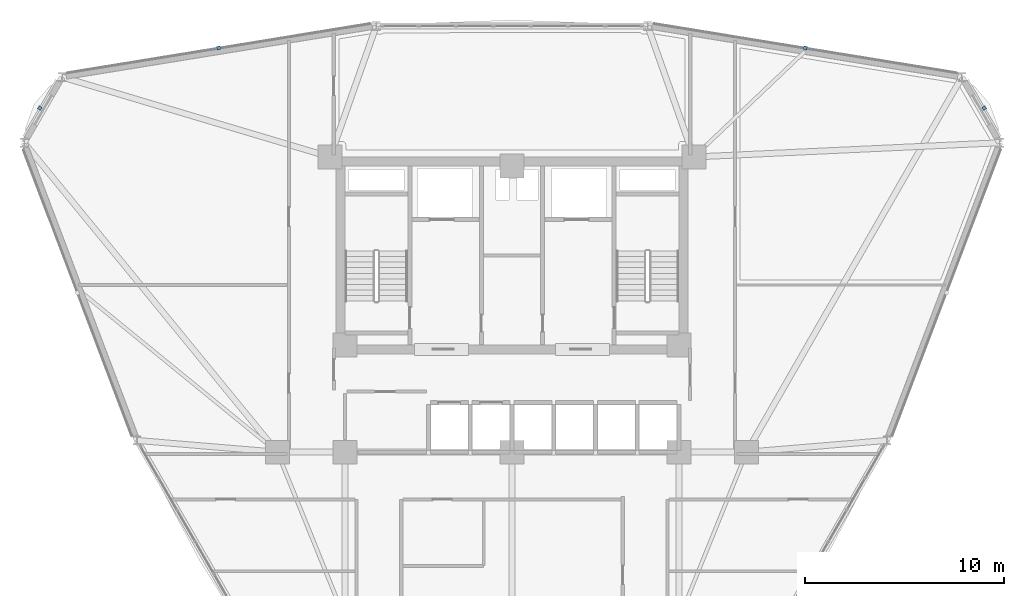
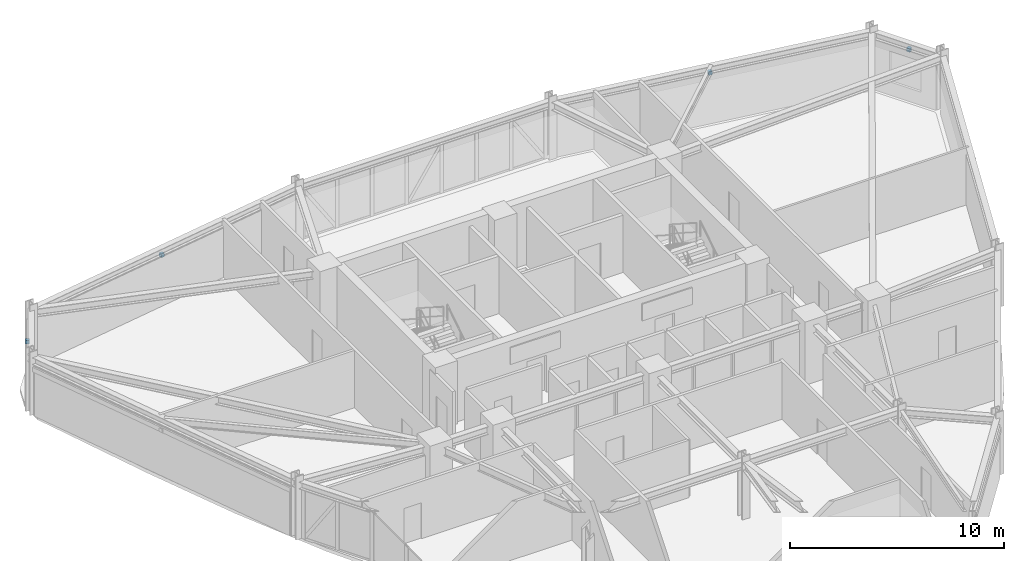
# One storey, part 13 of 17: 4 discrete accessories.
"""IFC4 building model written with IfcOpenShell, lengths in metres."""

from ifc_helpers import new_model, si_unit, derived_unit, direction, frame, origin, origin_2d, place, context, subcontext, project, spatial, rectangle, extrude, source, transform, mapped, material, type_object, element, save


model = new_model("IFC4")

# Units and contexts
model_context = context("Model", 3, precision=1e-05, world=origin(), true_north=direction((0.0, 1.0)))
body_context = subcontext(model_context, "Body", "Model", "MODEL_VIEW")
ifc_project = project(units=[si_unit("LENGTHUNIT", "METRE"), si_unit("AREAUNIT", "SQUARE_METRE"), si_unit("VOLUMEUNIT", "CUBIC_METRE"), si_unit("PLANEANGLEUNIT", "RADIAN"), si_unit("MASSUNIT", "GRAM", prefix="KILO"), derived_unit("THERMALTRANSMITTANCEUNIT", [(si_unit("POWERUNIT", "WATT"), 1), (si_unit("LENGTHUNIT", "METRE"), -2), (si_unit("THERMODYNAMICTEMPERATUREUNIT", "KELVIN"), -1)])], contexts=[model_context])

# Site, building, storey
site_placement = place(None, origin())
site = spatial("IfcSite", under=ifc_project, at=site_placement, CompositionType="ELEMENT")
building_placement = place(site_placement, origin())
building = spatial("IfcBuilding", under=site, at=building_placement, Name="Korsvarv Bourse and Concert Hall", CompositionType="ELEMENT")
storey_placement = place(building_placement, frame((0.0, 0.0, 127.800048828125)))
storey = spatial("IfcBuildingStorey", under=building, at=storey_placement, Name="L32", CompositionType="ELEMENT", Elevation=127.800048828125)

# Discrete accessories
ifc_material = material(Name="Stainless Steel S355 facade outrigger bracket", Category="steel")
discrete_accessory_type = type_object("IfcDiscreteAccessoryType", Name="ACC-BRK-1", PredefinedType="BRACKET", material=ifc_material)
shared_shape = source(origin(), body_context, "Body", "SweptSolid", [
    extrude(rectangle(XDim=0.179931640625, YDim=0.179931640625, at=origin_2d()), origin(), (0.0, 0.0, 1.0), 0.199951171875),
])
for number, where, z_axis, x_axis, name in (
    (1, (59.752197265625, 49.71337890625, 2.60009765625), (0.0, 0.0, 1.0), (-0.5, 0.866025403784, 0.0), "L32 terracotta sunshade bracket EW-L32-B01"),
    (2, (50.759033203125, 52.733642578125, 2.60009765625), (0.0, 0.0, 1.0), (-0.987024406397, 0.160570299793, 0.0), "L32 terracotta sunshade bracket EW-L32-B02"),
    (3, (21.240966796875, 52.733642578125, 2.5498046875), (0.0, 0.0, 1.0), (-0.987024406397, -0.160570299793, 0.0), "L32 terracotta sunshade bracket EW-L32-B04"),
    (4, (12.247802734375, 49.71337890625, 2.60009765625), (0.0, 0.0, 1.0), (-0.5, -0.866025403784, 0.0), "L32 terracotta sunshade bracket EW-L32-B05"),
):
    element("IfcDiscreteAccessory", number, at=place(storey_placement, frame(where, z_axis=z_axis, x_axis=x_axis)), inside=storey, type_object=discrete_accessory_type, Name=name, PredefinedType="BRACKET", context=body_context, shape_type="MappedRepresentation", body=[
        mapped(shared_shape, transform((0.0, 0.0, 0.0), scale=1.0)),
    ])

save(model, "model.ifc")
